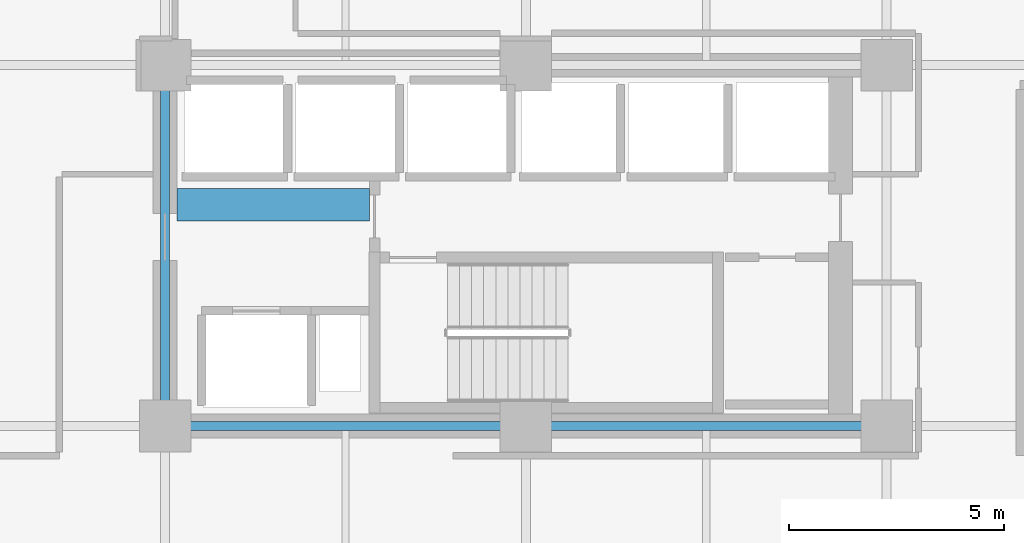
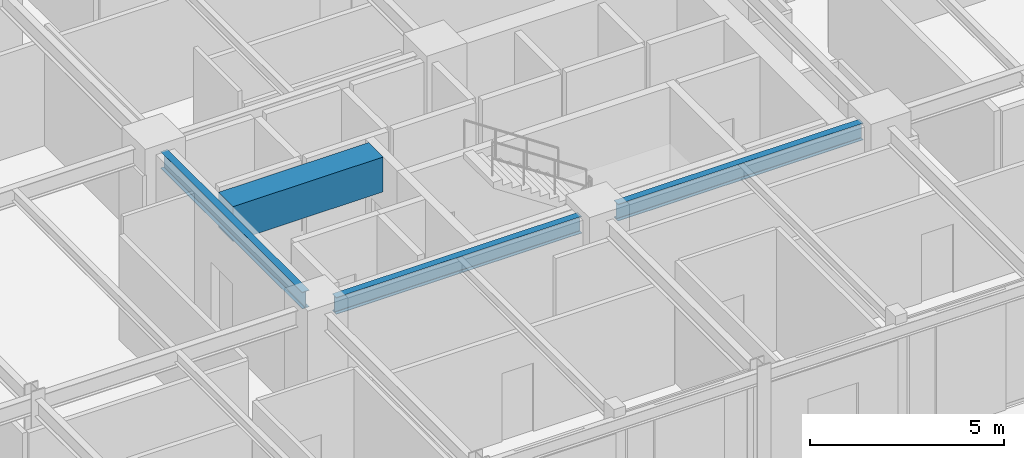
# One storey, part 10 of 39: 4 beams.
"""IFC4 building model written with IfcOpenShell, lengths in metres."""

from ifc_helpers import new_model, si_unit, direction, frame, origin, origin_2d, place, context, subcontext, project, spatial, rectangle, i_section, extrude, material, material_profile, profile_set, type_object, element, save


model = new_model("IFC4")

# Units and contexts
model_context = context("Model", 3, precision=1e-05, world=origin(), true_north=direction((0.0, 1.0)))
body_context = subcontext(model_context, "Body", "Model", "MODEL_VIEW")
ifc_project = project(units=[si_unit("LENGTHUNIT", "METRE"), si_unit("AREAUNIT", "SQUARE_METRE"), si_unit("VOLUMEUNIT", "CUBIC_METRE"), si_unit("PLANEANGLEUNIT", "RADIAN"), si_unit("MASSUNIT", "GRAM", prefix="KILO")], contexts=[model_context])

# Site, building, storey
site_placement = place(None, origin())
site = spatial("IfcSite", under=ifc_project, at=site_placement, CompositionType="ELEMENT")
building_placement = place(site_placement, origin())
building = spatial("IfcBuilding", under=site, at=building_placement, Name="Nerrivon Quay Data Exchange", CompositionType="ELEMENT")
storey_placement = place(building_placement, frame((0.0, 0.0, 92.60009765625)))
storey = spatial("IfcBuildingStorey", under=building, at=storey_placement, Name="L21", CompositionType="ELEMENT", Elevation=92.60009765625)

# Beams
ifc_material_1 = material(Name="Concrete S65 (65 MPa)", Category="concrete")
ifc_material_profile_1 = material_profile(ifc_material_1, rectangle(XDim=0.75, YDim=1.10009765625, at=origin_2d()), Name="RC-CB-750x1100")
ifc_profile_set_1 = profile_set([ifc_material_profile_1], Name="Concrete S65 (65 MPa)")
beam_type_1 = type_object("IfcBeamType", Name="BM-CB1-750x1100", PredefinedType="LINTEL", material=ifc_profile_set_1)
beam_1_placement = place(storey_placement, frame((17.074951171875, 13.550048828125, 3.27490234375), z_axis=(1.0, 0.0, 0.0), x_axis=(0.0, 1.0, 0.0)))
element("IfcBeam", 1, at=beam_1_placement, inside=storey, type_object=beam_type_1, Name="L21 East Core Coupling Beam", PredefinedType="LINTEL", context=body_context, shape_type="SweptSolid", body=[
    extrude(rectangle(XDim=0.75, YDim=1.10009765625, at=origin_2d()), origin(), (0.0, 0.0, 1.0), 4.47998046875),
])
ifc_material_2 = material(Name="Steel Grade 350", Category="steel")
ifc_material_profile_2 = material_profile(ifc_material_2, i_section(OverallWidth=0.208984375, OverallDepth=0.532958984375, WebThickness=0.01025390625, FlangeThickness=0.015625, FilletRadius=0.013916015625, at=origin_2d()), Name="530UB92.4")
ifc_profile_set_2 = profile_set([ifc_material_profile_2], Name="Steel Grade 350")
beam_type_2 = type_object("IfcBeamType", Name="BM-G3-530UB92", PredefinedType="BEAM", material=ifc_profile_set_2)
beam_2_placement = place(storey_placement, frame((17.340087890625, 8.39990234375, 3.558349609375), z_axis=(1.0, 0.0, 0.0), x_axis=(0.0, 1.0, 0.0)))
element("IfcBeam", 2, at=beam_2_placement, inside=storey, type_object=beam_type_2, Name="L21 EW Girder Y=8.4 (16.8..25.2)", PredefinedType="BEAM", context=body_context, shape_type="SweptSolid", body=[
    extrude(i_section(OverallWidth=0.208984375, OverallDepth=0.532958984375, WebThickness=0.01025390625, FlangeThickness=0.015625, FilletRadius=0.013916015625, at=origin_2d()), origin(), (0.0, 0.0, 1.0), 7.31982421875),
])
beam_3_placement = place(storey_placement, frame((25.739990234375, 8.39990234375, 3.558349609375), z_axis=(1.0, 0.0, 0.0), x_axis=(0.0, 1.0, 0.0)))
element("IfcBeam", 3, at=beam_3_placement, inside=storey, type_object=beam_type_2, Name="L21 EW Girder Y=8.4 (25.2..33.6)", PredefinedType="BEAM", context=body_context, shape_type="SweptSolid", body=[
    extrude(i_section(OverallWidth=0.208984375, OverallDepth=0.532958984375, WebThickness=0.01025390625, FlangeThickness=0.015625, FilletRadius=0.013916015625, at=origin_2d()), origin(), (0.0, 0.0, 1.0), 7.320068359375),
])
ifc_material_profile_3 = material_profile(ifc_material_2, i_section(OverallWidth=0.208984375, OverallDepth=0.528076171875, WebThickness=0.009521484375, FlangeThickness=0.01318359375, FilletRadius=0.013916015625, at=origin_2d()), Name="530UB82.0")
ifc_profile_set_3 = profile_set([ifc_material_profile_3], Name="Steel Grade 350")
beam_type_3 = type_object("IfcBeamType", Name="BM-G4-530UB82", PredefinedType="BEAM", material=ifc_profile_set_3)
beam_4_placement = place(storey_placement, frame((16.800048828125, 8.93994140625, 3.560791015625), z_axis=(0.0, 1.0, 0.0), x_axis=(-1.0, 0.0, 0.0)))
element("IfcBeam", 4, at=beam_4_placement, inside=storey, type_object=beam_type_3, Name="L21 NS Girder X=16.8 (8.4..16.8)", PredefinedType="BEAM", context=body_context, shape_type="SweptSolid", body=[
    extrude(i_section(OverallWidth=0.208984375, OverallDepth=0.528076171875, WebThickness=0.009521484375, FlangeThickness=0.01318359375, FilletRadius=0.013916015625, at=origin_2d()), origin(), (0.0, 0.0, 1.0), 7.320068359375),
])

save(model, "model.ifc")
